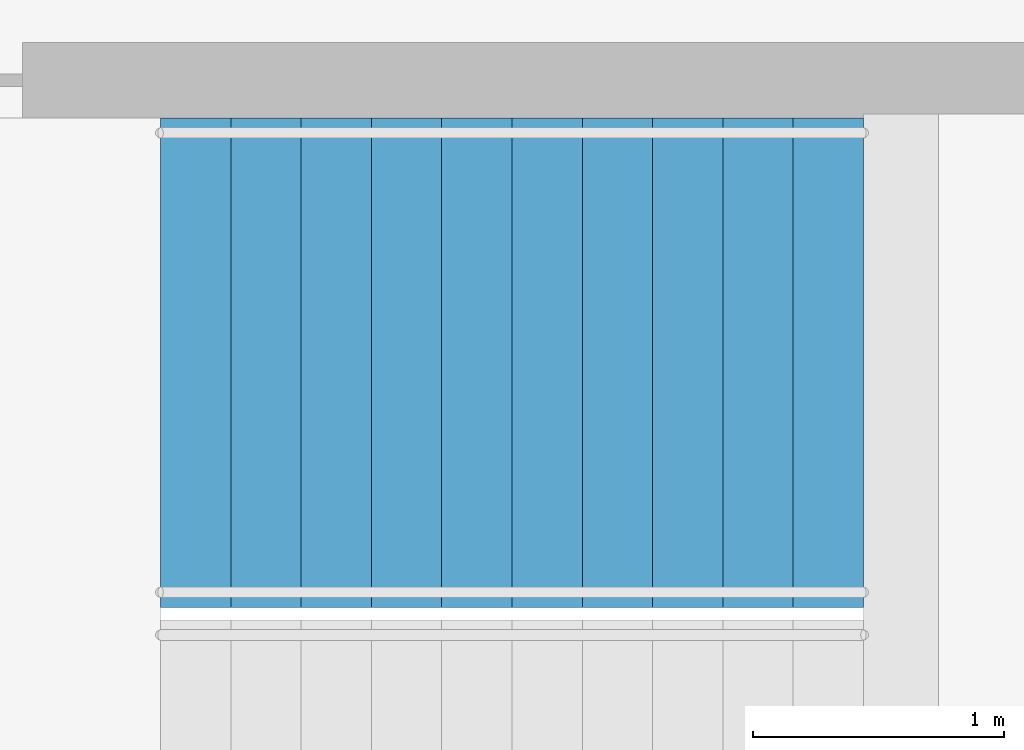
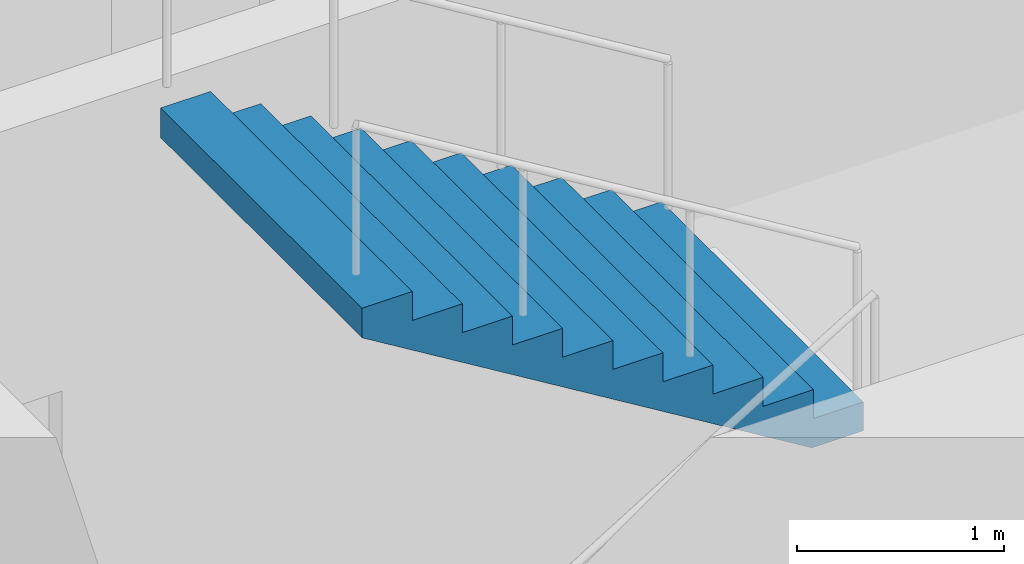
# One storey, part 21 of 24: 1 stair flight, 1 element without a shape of its own.
"""IFC4 building model written with IfcOpenShell, lengths in metres."""

from ifc_helpers import new_model, si_unit, direction, frame, origin, place, context, subcontext, project, spatial, triangles, material, type_object, element, aggregate, save


model = new_model("IFC4")

# Units and contexts
model_context = context("Model", 3, precision=1e-05, world=origin(), true_north=direction((0.0, 1.0)))
body_context = subcontext(model_context, "Body", "Model", "MODEL_VIEW")
ifc_project = project(units=[si_unit("LENGTHUNIT", "METRE"), si_unit("AREAUNIT", "SQUARE_METRE"), si_unit("VOLUMEUNIT", "CUBIC_METRE"), si_unit("PLANEANGLEUNIT", "RADIAN"), si_unit("MASSUNIT", "GRAM", prefix="KILO")], contexts=[model_context])

# Site, building, storey
site_placement = place(None, origin())
site = spatial("IfcSite", under=ifc_project, at=site_placement, CompositionType="ELEMENT")
building_placement = place(site_placement, origin())
building = spatial("IfcBuilding", under=site, at=building_placement, Name="Orbita Commons", CompositionType="ELEMENT")
storey_placement = place(building_placement, frame((0.0, 0.0, 27.699951171875)))
storey = spatial("IfcBuildingStorey", under=building, at=storey_placement, Name="L06", CompositionType="ELEMENT", Elevation=27.699951171875)

# Stair, stair flight
ifc_material_1 = material(Name="Precast concrete C40/50", Category="concrete")
stair_type = type_object("IfcStairType", Name="Exit stair S1 2 flights 11 risers 170", PredefinedType="HALF_TURN_STAIR", material=ifc_material_1)
stair_placement = place(storey_placement, origin())
stair = element("IfcStair", 1, at=stair_placement, inside=storey, type_object=stair_type, Name="Exit stair S1 L06", PredefinedType="HALF_TURN_STAIR")
ifc_material_2 = material(Name="Precast concrete C40/50", Category="concrete")
stair_flight_type = type_object("IfcStairFlightType", Name="Stair flight 11 risers 170 x 280", PredefinedType="STRAIGHT", material=ifc_material_2)
stair_flight_placement = place(storey_placement, frame((23.25, 29.27490234375, 1.875), z_axis=(0.0, 0.0, 1.0), x_axis=(-1.0, 0.0, 0.0)))
stair_flight = element("IfcStairFlight", 2, at=stair_flight_placement, type_object=stair_flight_type, Name="S1 flight 2", NumberOfRisers=11, NumberOfTreads=10, PredefinedType="STRAIGHT", RiserHeight=0.170454545, TreadLength=0.28, context=body_context, shape_type="Tessellation", body=[
    triangles([(0.0, 0.974976, 0.0), (0.0, 0.974976, 0.021307), (0.0, 0.81248, 0.021307), (0.0, 0.81248, 0.0), (0.0, 0.649984, 0.021307), (0.0, 0.649984, 0.0), (0.0, 0.487488, 0.021307), (0.0, 0.487488, 0.0), (0.0, 0.324992, 0.021307), (0.0, 0.324992, 0.0), (0.0, 0.162496, 0.021307), (0.0, 0.162496, 0.0), (0.0, 0.0, 0.021307), (0.0, 0.0, 0.0), (0.0, -0.162496, 0.021307), (0.0, -0.162496, 0.0), (0.0, -0.324992, 0.021307), (0.0, -0.324992, 0.0), (0.0, -0.487488, 0.021307), (0.0, -0.487488, 0.0), (0.0, -0.649984, 0.021307), (0.0, -0.649984, 0.0), (0.0, -0.81248, 0.021307), (0.0, -0.81248, 0.0), (0.0, -0.974976, 0.021307), (0.0, -0.974976, 0.0), (0.0, 0.974976, 0.042614), (0.0, 0.81248, 0.042614), (0.0, 0.649984, 0.042614), (0.0, 0.487488, 0.042614), (0.0, 0.324992, 0.042614), (0.0, 0.162496, 0.042614), (0.0, 0.0, 0.042614), (0.0, -0.162496, 0.042614), (0.0, -0.324992, 0.042614), (0.0, -0.487488, 0.042614), (0.0, -0.649984, 0.042614), (0.0, -0.81248, 0.042614), (0.0, -0.974976, 0.042614), (0.0, 0.974976, 0.06392), (0.0, 0.81248, 0.06392), (0.0, 0.649984, 0.06392), (0.0, 0.487488, 0.06392), (0.0, 0.324992, 0.06392), (0.0, 0.162496, 0.06392), (0.0, 0.0, 0.06392), (0.0, -0.162496, 0.06392), (0.0, -0.324992, 0.06392), (0.0, -0.487488, 0.06392), (0.0, -0.649984, 0.06392), (0.0, -0.81248, 0.06392), (0.0, -0.974976, 0.06392), (0.0, 0.974976, 0.085227), (0.0, 0.81248, 0.085227), (0.0, 0.649984, 0.085227), (0.0, 0.487488, 0.085227), (0.0, 0.324992, 0.085227), (0.0, 0.162496, 0.085227), (0.0, 0.0, 0.085227), (0.0, -0.162496, 0.085227), (0.0, -0.324992, 0.085227), (0.0, -0.487488, 0.085227), (0.0, -0.649984, 0.085227), (0.0, -0.81248, 0.085227), (0.0, -0.974976, 0.085227), (0.0, 0.974976, 0.106534), (0.0, 0.81248, 0.106534), (0.0, 0.649984, 0.106534), (0.0, 0.487488, 0.106534), (0.0, 0.324992, 0.106534), (0.0, 0.162496, 0.106534), (0.0, 0.0, 0.106534), (0.0, -0.162496, 0.106534), (0.0, -0.324992, 0.106534), (0.0, -0.487488, 0.106534), (0.0, -0.649984, 0.106534), (0.0, -0.81248, 0.106534), (0.0, -0.974976, 0.106534), (0.0, 0.974976, 0.127841), (0.0, 0.81248, 0.127841), (0.0, 0.649984, 0.127841), (0.0, 0.487488, 0.127841), (0.0, 0.324992, 0.127841), (0.0, 0.162496, 0.127841), (0.0, 0.0, 0.127841), (0.0, -0.162496, 0.127841), (0.0, -0.324992, 0.127841), (0.0, -0.487488, 0.127841), (0.0, -0.649984, 0.127841), (0.0, -0.81248, 0.127841), (0.0, -0.974976, 0.127841), (0.0, 0.974976, 0.149148), (0.0, 0.81248, 0.149148), (0.0, 0.649984, 0.149148), (0.0, 0.487488, 0.149148), (0.0, 0.324992, 0.149148), (0.0, 0.162496, 0.149148), (0.0, 0.0, 0.149148), (0.0, -0.162496, 0.149148), (0.0, -0.324992, 0.149148), (0.0, -0.487488, 0.149148), (0.0, -0.649984, 0.149148), (0.0, -0.81248, 0.149148), (0.0, -0.974976, 0.149148), (0.0, 0.974976, 0.170455), (0.0, 0.81248, 0.170455), (0.0, 0.649984, 0.170455), (0.0, 0.487488, 0.170455), (0.0, 0.324992, 0.170455), (0.0, 0.162496, 0.170455), (0.0, 0.0, 0.170455), (0.0, -0.162496, 0.170455), (0.0, -0.324992, 0.170455), (0.0, -0.487488, 0.170455), (0.0, -0.649984, 0.170455), (0.0, -0.81248, 0.170455), (0.0, -0.974976, 0.170455), (0.28, 0.974976, 0.170455), (0.28, 0.81248, 0.170455), (0.28, 0.649984, 0.170455), (0.28, 0.487488, 0.170455), (0.28, 0.324992, 0.170455), (0.28, 0.162496, 0.170455), (0.28, 0.0, 0.170455), (0.28, -0.162496, 0.170455), (0.28, -0.324992, 0.170455), (0.28, -0.487488, 0.170455), (0.28, -0.649984, 0.170455), (0.28, -0.81248, 0.170455), (0.28, -0.974976, 0.170455), (0.28, 0.974976, 0.340909), (0.28, 0.81248, 0.340909), (0.28, 0.649984, 0.340909), (0.28, 0.487488, 0.340909), (0.28, 0.324992, 0.340909), (0.28, 0.162496, 0.340909), (0.28, 0.0, 0.340909), (0.28, -0.162496, 0.340909), (0.28, -0.324992, 0.340909), (0.28, -0.487488, 0.340909), (0.28, -0.649984, 0.340909), (0.28, -0.81248, 0.340909), (0.28, -0.974976, 0.340909), (0.56, 0.974976, 0.340909), (0.56, 0.81248, 0.340909), (0.56, 0.649984, 0.340909), (0.56, 0.487488, 0.340909), (0.56, 0.324992, 0.340909), (0.56, 0.162496, 0.340909), (0.56, 0.0, 0.340909), (0.56, -0.162496, 0.340909), (0.56, -0.324992, 0.340909), (0.56, -0.487488, 0.340909), (0.56, -0.649984, 0.340909), (0.56, -0.81248, 0.340909), (0.56, -0.974976, 0.340909), (0.56, 0.974976, 0.511364), (0.56, 0.81248, 0.511364), (0.56, 0.649984, 0.511364), (0.56, 0.487488, 0.511364), (0.56, 0.324992, 0.511364), (0.56, 0.162496, 0.511364), (0.56, 0.0, 0.511364), (0.56, -0.162496, 0.511364), (0.56, -0.324992, 0.511364), (0.56, -0.487488, 0.511364), (0.56, -0.649984, 0.511364), (0.56, -0.81248, 0.511364), (0.56, -0.974976, 0.511364), (0.84, 0.974976, 0.511364), (0.84, 0.81248, 0.511364), (0.84, 0.649984, 0.511364), (0.84, 0.487488, 0.511364), (0.84, 0.324992, 0.511364), (0.84, 0.162496, 0.511364), (0.84, 0.0, 0.511364), (0.84, -0.162496, 0.511364), (0.84, -0.324992, 0.511364), (0.84, -0.487488, 0.511364), (0.84, -0.649984, 0.511364), (0.84, -0.81248, 0.511364), (0.84, -0.974976, 0.511364), (0.84, 0.974976, 0.681818), (0.84, 0.81248, 0.681818), (0.84, 0.649984, 0.681818), (0.84, 0.487488, 0.681818), (0.84, 0.324992, 0.681818), (0.84, 0.162496, 0.681818), (0.84, 0.0, 0.681818), (0.84, -0.162496, 0.681818), (0.84, -0.324992, 0.681818), (0.84, -0.487488, 0.681818), (0.84, -0.649984, 0.681818), (0.84, -0.81248, 0.681818), (0.84, -0.974976, 0.681818), (1.12, 0.974976, 0.681818), (1.12, 0.81248, 0.681818), (1.12, 0.649984, 0.681818), (1.12, 0.487488, 0.681818), (1.12, 0.324992, 0.681818), (1.12, 0.162496, 0.681818), (1.12, 0.0, 0.681818), (1.12, -0.162496, 0.681818), (1.12, -0.324992, 0.681818), (1.12, -0.487488, 0.681818), (1.12, -0.649984, 0.681818), (1.12, -0.81248, 0.681818), (1.12, -0.974976, 0.681818), (1.12, 0.974976, 0.852273), (1.12, 0.81248, 0.852273), (1.12, 0.649984, 0.852273), (1.12, 0.487488, 0.852273), (1.12, 0.324992, 0.852273), (1.12, 0.162496, 0.852273), (1.12, 0.0, 0.852273), (1.12, -0.162496, 0.852273), (1.12, -0.324992, 0.852273), (1.12, -0.487488, 0.852273), (1.12, -0.649984, 0.852273), (1.12, -0.81248, 0.852273), (1.12, -0.974976, 0.852273), (1.4, 0.974976, 0.852273), (1.4, 0.81248, 0.852273), (1.4, 0.649984, 0.852273), (1.4, 0.487488, 0.852273), (1.4, 0.324992, 0.852273), (1.4, 0.162496, 0.852273), (1.4, 0.0, 0.852273), (1.4, -0.162496, 0.852273), (1.4, -0.324992, 0.852273), (1.4, -0.487488, 0.852273), (1.4, -0.649984, 0.852273), (1.4, -0.81248, 0.852273), (1.4, -0.974976, 0.852273), (1.4, 0.974976, 1.022727), (1.4, 0.81248, 1.022727), (1.4, 0.649984, 1.022727), (1.4, 0.487488, 1.022727), (1.4, 0.324992, 1.022727), (1.4, 0.162496, 1.022727), (1.4, 0.0, 1.022727), (1.4, -0.162496, 1.022727), (1.4, -0.324992, 1.022727), (1.4, -0.487488, 1.022727), (1.4, -0.649984, 1.022727), (1.4, -0.81248, 1.022727), (1.4, -0.974976, 1.022727), (1.68, 0.974976, 1.022727), (1.68, 0.81248, 1.022727), (1.68, 0.649984, 1.022727), (1.68, 0.487488, 1.022727), (1.68, 0.324992, 1.022727), (1.68, 0.162496, 1.022727), (1.68, 0.0, 1.022727), (1.68, -0.162496, 1.022727), (1.68, -0.324992, 1.022727), (1.68, -0.487488, 1.022727), (1.68, -0.649984, 1.022727), (1.68, -0.81248, 1.022727), (1.68, -0.974976, 1.022727), (1.68, 0.974976, 1.193182), (1.68, 0.81248, 1.193182), (1.68, 0.649984, 1.193182), (1.68, 0.487488, 1.193182), (1.68, 0.324992, 1.193182), (1.68, 0.162496, 1.193182), (1.68, 0.0, 1.193182), (1.68, -0.162496, 1.193182), (1.68, -0.324992, 1.193182), (1.68, -0.487488, 1.193182), (1.68, -0.649984, 1.193182), (1.68, -0.81248, 1.193182), (1.68, -0.974976, 1.193182), (1.96, 0.974976, 1.193182), (1.96, 0.81248, 1.193182), (1.96, 0.649984, 1.193182), (1.96, 0.487488, 1.193182), (1.96, 0.324992, 1.193182), (1.96, 0.162496, 1.193182), (1.96, 0.0, 1.193182), (1.96, -0.162496, 1.193182), (1.96, -0.324992, 1.193182), (1.96, -0.487488, 1.193182), (1.96, -0.649984, 1.193182), (1.96, -0.81248, 1.193182), (1.96, -0.974976, 1.193182), (1.96, 0.974976, 1.363636), (1.96, 0.81248, 1.363636), (1.96, 0.649984, 1.363636), (1.96, 0.487488, 1.363636), (1.96, 0.324992, 1.363636), (1.96, 0.162496, 1.363636), (1.96, 0.0, 1.363636), (1.96, -0.162496, 1.363636), (1.96, -0.324992, 1.363636), (1.96, -0.487488, 1.363636), (1.96, -0.649984, 1.363636), (1.96, -0.81248, 1.363636), (1.96, -0.974976, 1.363636), (2.24, 0.974976, 1.363636), (2.24, 0.81248, 1.363636), (2.24, 0.649984, 1.363636), (2.24, 0.487488, 1.363636), (2.24, 0.324992, 1.363636), (2.24, 0.162496, 1.363636), (2.24, 0.0, 1.363636), (2.24, -0.162496, 1.363636), (2.24, -0.324992, 1.363636), (2.24, -0.487488, 1.363636), (2.24, -0.649984, 1.363636), (2.24, -0.81248, 1.363636), (2.24, -0.974976, 1.363636), (2.24, 0.974976, 1.534091), (2.24, 0.81248, 1.534091), (2.24, 0.649984, 1.534091), (2.24, 0.487488, 1.534091), (2.24, 0.324992, 1.534091), (2.24, 0.162496, 1.534091), (2.24, 0.0, 1.534091), (2.24, -0.162496, 1.534091), (2.24, -0.324992, 1.534091), (2.24, -0.487488, 1.534091), (2.24, -0.649984, 1.534091), (2.24, -0.81248, 1.534091), (2.24, -0.974976, 1.534091), (2.52, 0.974976, 1.534091), (2.52, 0.81248, 1.534091), (2.52, 0.649984, 1.534091), (2.52, 0.487488, 1.534091), (2.52, 0.324992, 1.534091), (2.52, 0.162496, 1.534091), (2.52, 0.0, 1.534091), (2.52, -0.162496, 1.534091), (2.52, -0.324992, 1.534091), (2.52, -0.487488, 1.534091), (2.52, -0.649984, 1.534091), (2.52, -0.81248, 1.534091), (2.52, -0.974976, 1.534091), (2.52, 0.974976, 1.704545), (2.52, 0.81248, 1.704545), (2.52, 0.649984, 1.704545), (2.52, 0.487488, 1.704545), (2.52, 0.324992, 1.704545), (2.52, 0.162496, 1.704545), (2.52, 0.0, 1.704545), (2.52, -0.162496, 1.704545), (2.52, -0.324992, 1.704545), (2.52, -0.487488, 1.704545), (2.52, -0.649984, 1.704545), (2.52, -0.81248, 1.704545), (2.52, -0.974976, 1.704545), (2.8, 0.974976, 1.704545), (2.8, 0.81248, 1.704545), (2.8, 0.649984, 1.704545), (2.8, 0.487488, 1.704545), (2.8, 0.324992, 1.704545), (2.8, 0.162496, 1.704545), (2.8, 0.0, 1.704545), (2.8, -0.162496, 1.704545), (2.8, -0.324992, 1.704545), (2.8, -0.487488, 1.704545), (2.8, -0.649984, 1.704545), (2.8, -0.81248, 1.704545), (2.8, -0.974976, 1.704545), (2.8, 0.974976, 1.682609), (2.8, 0.81248, 1.682609), (2.8, 0.649984, 1.682609), (2.8, 0.487488, 1.682609), (2.8, 0.324992, 1.682609), (2.8, 0.162496, 1.682609), (2.8, 0.0, 1.682609), (2.8, -0.162496, 1.682609), (2.8, -0.324992, 1.682609), (2.8, -0.487488, 1.682609), (2.8, -0.649984, 1.682609), (2.8, -0.81248, 1.682609), (2.8, -0.974976, 1.682609), (2.8, 0.974976, 1.660672), (2.8, 0.81248, 1.660672), (2.8, 0.649984, 1.660672), (2.8, 0.487488, 1.660672), (2.8, 0.324992, 1.660672), (2.8, 0.162496, 1.660672), (2.8, 0.0, 1.660672), (2.8, -0.162496, 1.660672), (2.8, -0.324992, 1.660672), (2.8, -0.487488, 1.660672), (2.8, -0.649984, 1.660672), (2.8, -0.81248, 1.660672), (2.8, -0.974976, 1.660672), (2.8, 0.974976, 1.638735), (2.8, 0.81248, 1.638735), (2.8, 0.649984, 1.638735), (2.8, 0.487488, 1.638735), (2.8, 0.324992, 1.638735), (2.8, 0.162496, 1.638735), (2.8, 0.0, 1.638735), (2.8, -0.162496, 1.638735), (2.8, -0.324992, 1.638735), (2.8, -0.487488, 1.638735), (2.8, -0.649984, 1.638735), (2.8, -0.81248, 1.638735), (2.8, -0.974976, 1.638735), (2.8, 0.974976, 1.616798), (2.8, 0.81248, 1.616798), (2.8, 0.649984, 1.616798), (2.8, 0.487488, 1.616798), (2.8, 0.324992, 1.616798), (2.8, 0.162496, 1.616798), (2.8, 0.0, 1.616798), (2.8, -0.162496, 1.616798), (2.8, -0.324992, 1.616798), (2.8, -0.487488, 1.616798), (2.8, -0.649984, 1.616798), (2.8, -0.81248, 1.616798), (2.8, -0.974976, 1.616798), (2.8, 0.974976, 1.594861), (2.8, 0.81248, 1.594861), (2.8, 0.649984, 1.594861), (2.8, 0.487488, 1.594861), (2.8, 0.324992, 1.594861), (2.8, 0.162496, 1.594861), (2.8, 0.0, 1.594861), (2.8, -0.162496, 1.594861), (2.8, -0.324992, 1.594861), (2.8, -0.487488, 1.594861), (2.8, -0.649984, 1.594861), (2.8, -0.81248, 1.594861), (2.8, -0.974976, 1.594861), (2.8, 0.974976, 1.572925), (2.8, 0.81248, 1.572925), (2.8, 0.649984, 1.572925), (2.8, 0.487488, 1.572925), (2.8, 0.324992, 1.572925), (2.8, 0.162496, 1.572925), (2.8, 0.0, 1.572925), (2.8, -0.162496, 1.572925), (2.8, -0.324992, 1.572925), (2.8, -0.487488, 1.572925), (2.8, -0.649984, 1.572925), (2.8, -0.81248, 1.572925), (2.8, -0.974976, 1.572925), (2.8, 0.974976, 1.550988), (2.8, 0.81248, 1.550988), (2.8, 0.649984, 1.550988), (2.8, 0.487488, 1.550988), (2.8, 0.324992, 1.550988), (2.8, 0.162496, 1.550988), (2.8, 0.0, 1.550988), (2.8, -0.162496, 1.550988), (2.8, -0.324992, 1.550988), (2.8, -0.487488, 1.550988), (2.8, -0.649984, 1.550988), (2.8, -0.81248, 1.550988), (2.8, -0.974976, 1.550988), (2.8, 0.974976, 1.529051), (2.8, 0.81248, 1.529051), (2.8, 0.649984, 1.529051), (2.8, 0.487488, 1.529051), (2.8, 0.324992, 1.529051), (2.8, 0.162496, 1.529051), (2.8, 0.0, 1.529051), (2.8, -0.162496, 1.529051), (2.8, -0.324992, 1.529051), (2.8, -0.487488, 1.529051), (2.8, -0.649984, 1.529051), (2.8, -0.81248, 1.529051), (2.8, -0.974976, 1.529051), (0.288279, 0.974976, 0.0), (0.288279, 0.81248, 0.0), (0.288279, 0.649984, 0.0), (0.288279, 0.487488, 0.0), (0.288279, 0.324992, 0.0), (0.288279, 0.162496, 0.0), (0.288279, 0.0, 0.0), (0.288279, -0.162496, 0.0), (0.288279, -0.324992, 0.0), (0.288279, -0.487488, 0.0), (0.288279, -0.649984, 0.0), (0.288279, -0.81248, 0.0), (0.288279, -0.974976, 0.0)], [[3, 2, 1], [4, 3, 1], [5, 3, 4], [6, 5, 4], [7, 5, 6], [8, 7, 6], [9, 7, 8], [10, 9, 8], [11, 9, 10], [12, 11, 10], [13, 11, 12], [14, 13, 12], [15, 13, 14], [16, 15, 14], [17, 15, 16], [18, 17, 16], [19, 17, 18], [20, 19, 18], [21, 19, 20], [22, 21, 20], [23, 21, 22], [24, 23, 22], [25, 23, 24], [26, 25, 24], [28, 27, 2], [3, 28, 2], [29, 28, 3], [5, 29, 3], [30, 29, 5], [7, 30, 5], [31, 30, 7], [9, 31, 7], [32, 31, 9], [11, 32, 9], [33, 32, 11], [13, 33, 11], [34, 33, 13], [15, 34, 13], [35, 34, 15], [17, 35, 15], [36, 35, 17], [19, 36, 17], [37, 36, 19], [21, 37, 19], [38, 37, 21], [23, 38, 21], [39, 38, 23], [25, 39, 23], [41, 40, 27], [28, 41, 27], [42, 41, 28], [29, 42, 28], [43, 42, 29], [30, 43, 29], [44, 43, 30], [31, 44, 30], [45, 44, 31], [32, 45, 31], [46, 45, 32], [33, 46, 32], [47, 46, 33], [34, 47, 33], [48, 47, 34], [35, 48, 34], [49, 48, 35], [36, 49, 35], [50, 49, 36], [37, 50, 36], [51, 50, 37], [38, 51, 37], [52, 51, 38], [39, 52, 38], [54, 53, 40], [41, 54, 40], [55, 54, 41], [42, 55, 41], [56, 55, 42], [43, 56, 42], [57, 56, 43], [44, 57, 43], [58, 57, 44], [45, 58, 44], [59, 58, 45], [46, 59, 45], [60, 59, 46], [47, 60, 46], [61, 60, 47], [48, 61, 47], [62, 61, 48], [49, 62, 48], [63, 62, 49], [50, 63, 49], [64, 63, 50], [51, 64, 50], [65, 64, 51], [52, 65, 51], [67, 66, 53], [54, 67, 53], [68, 67, 54], [55, 68, 54], [69, 68, 55], [56, 69, 55], [70, 69, 56], [57, 70, 56], [71, 70, 57], [58, 71, 57], [72, 71, 58], [59, 72, 58], [73, 72, 59], [60, 73, 59], [74, 73, 60], [61, 74, 60], [75, 74, 61], [62, 75, 61], [76, 75, 62], [63, 76, 62], [77, 76, 63], [64, 77, 63], [78, 77, 64], [65, 78, 64], [80, 79, 66], [67, 80, 66], [81, 80, 67], [68, 81, 67], [82, 81, 68], [69, 82, 68], [83, 82, 69], [70, 83, 69], [84, 83, 70], [71, 84, 70], [85, 84, 71], [72, 85, 71], [86, 85, 72], [73, 86, 72], [87, 86, 73], [74, 87, 73], [88, 87, 74], [75, 88, 74], [89, 88, 75], [76, 89, 75], [90, 89, 76], [77, 90, 76], [91, 90, 77], [78, 91, 77], [93, 92, 79], [80, 93, 79], [94, 93, 80], [81, 94, 80], [95, 94, 81], [82, 95, 81], [96, 95, 82], [83, 96, 82], [97, 96, 83], [84, 97, 83], [98, 97, 84], [85, 98, 84], [99, 98, 85], [86, 99, 85], [100, 99, 86], [87, 100, 86], [101, 100, 87], [88, 101, 87], [102, 101, 88], [89, 102, 88], [103, 102, 89], [90, 103, 89], [104, 103, 90], [91, 104, 90], [106, 105, 92], [93, 106, 92], [107, 106, 93], [94, 107, 93], [108, 107, 94], [95, 108, 94], [109, 108, 95], [96, 109, 95], [110, 109, 96], [97, 110, 96], [111, 110, 97], [98, 111, 97], [112, 111, 98], [99, 112, 98], [113, 112, 99], [100, 113, 99], [114, 113, 100], [101, 114, 100], [115, 114, 101], [102, 115, 101], [116, 115, 102], [103, 116, 102], [117, 116, 103], [104, 117, 103], [119, 118, 105], [106, 119, 105], [120, 119, 106], [107, 120, 106], [121, 120, 107], [108, 121, 107], [122, 121, 108], [109, 122, 108], [123, 122, 109], [110, 123, 109], [124, 123, 110], [111, 124, 110], [125, 124, 111], [112, 125, 111], [126, 125, 112], [113, 126, 112], [127, 126, 113], [114, 127, 113], [128, 127, 114], [115, 128, 114], [129, 128, 115], [116, 129, 115], [130, 129, 116], [117, 130, 116], [132, 131, 118], [119, 132, 118], [133, 132, 119], [120, 133, 119], [134, 133, 120], [121, 134, 120], [135, 134, 121], [122, 135, 121], [136, 135, 122], [123, 136, 122], [137, 136, 123], [124, 137, 123], [138, 137, 124], [125, 138, 124], [139, 138, 125], [126, 139, 125], [140, 139, 126], [127, 140, 126], [141, 140, 127], [128, 141, 127], [142, 141, 128], [129, 142, 128], [143, 142, 129], [130, 143, 129], [145, 144, 131], [132, 145, 131], [146, 145, 132], [133, 146, 132], [147, 146, 133], [134, 147, 133], [148, 147, 134], [135, 148, 134], [149, 148, 135], [136, 149, 135], [150, 149, 136], [137, 150, 136], [151, 150, 137], [138, 151, 137], [152, 151, 138], [139, 152, 138], [153, 152, 139], [140, 153, 139], [154, 153, 140], [141, 154, 140], [155, 154, 141], [142, 155, 141], [156, 155, 142], [143, 156, 142], [158, 157, 144], [145, 158, 144], [159, 158, 145], [146, 159, 145], [160, 159, 146], [147, 160, 146], [161, 160, 147], [148, 161, 147], [162, 161, 148], [149, 162, 148], [163, 162, 149], [150, 163, 149], [164, 163, 150], [151, 164, 150], [165, 164, 151], [152, 165, 151], [166, 165, 152], [153, 166, 152], [167, 166, 153], [154, 167, 153], [168, 167, 154], [155, 168, 154], [169, 168, 155], [156, 169, 155], [171, 170, 157], [158, 171, 157], [172, 171, 158], [159, 172, 158], [173, 172, 159], [160, 173, 159], [174, 173, 160], [161, 174, 160], [175, 174, 161], [162, 175, 161], [176, 175, 162], [163, 176, 162], [177, 176, 163], [164, 177, 163], [178, 177, 164], [165, 178, 164], [179, 178, 165], [166, 179, 165], [180, 179, 166], [167, 180, 166], [181, 180, 167], [168, 181, 167], [182, 181, 168], [169, 182, 168], [184, 183, 170], [171, 184, 170], [185, 184, 171], [172, 185, 171], [186, 185, 172], [173, 186, 172], [187, 186, 173], [174, 187, 173], [188, 187, 174], [175, 188, 174], [189, 188, 175], [176, 189, 175], [190, 189, 176], [177, 190, 176], [191, 190, 177], [178, 191, 177], [192, 191, 178], [179, 192, 178], [193, 192, 179], [180, 193, 179], [194, 193, 180], [181, 194, 180], [195, 194, 181], [182, 195, 181], [197, 196, 183], [184, 197, 183], [198, 197, 184], [185, 198, 184], [199, 198, 185], [186, 199, 185], [200, 199, 186], [187, 200, 186], [201, 200, 187], [188, 201, 187], [202, 201, 188], [189, 202, 188], [203, 202, 189], [190, 203, 189], [204, 203, 190], [191, 204, 190], [205, 204, 191], [192, 205, 191], [206, 205, 192], [193, 206, 192], [207, 206, 193], [194, 207, 193], [208, 207, 194], [195, 208, 194], [210, 209, 196], [197, 210, 196], [211, 210, 197], [198, 211, 197], [212, 211, 198], [199, 212, 198], [213, 212, 199], [200, 213, 199], [214, 213, 200], [201, 214, 200], [215, 214, 201], [202, 215, 201], [216, 215, 202], [203, 216, 202], [217, 216, 203], [204, 217, 203], [218, 217, 204], [205, 218, 204], [219, 218, 205], [206, 219, 205], [220, 219, 206], [207, 220, 206], [221, 220, 207], [208, 221, 207], [223, 222, 209], [210, 223, 209], [224, 223, 210], [211, 224, 210], [225, 224, 211], [212, 225, 211], [226, 225, 212], [213, 226, 212], [227, 226, 213], [214, 227, 213], [228, 227, 214], [215, 228, 214], [229, 228, 215], [216, 229, 215], [230, 229, 216], [217, 230, 216], [231, 230, 217], [218, 231, 217], [232, 231, 218], [219, 232, 218], [233, 232, 219], [220, 233, 219], [234, 233, 220], [221, 234, 220], [236, 235, 222], [223, 236, 222], [237, 236, 223], [224, 237, 223], [238, 237, 224], [225, 238, 224], [239, 238, 225], [226, 239, 225], [240, 239, 226], [227, 240, 226], [241, 240, 227], [228, 241, 227], [242, 241, 228], [229, 242, 228], [243, 242, 229], [230, 243, 229], [244, 243, 230], [231, 244, 230], [245, 244, 231], [232, 245, 231], [246, 245, 232], [233, 246, 232], [247, 246, 233], [234, 247, 233], [249, 248, 235], [236, 249, 235], [250, 249, 236], [237, 250, 236], [251, 250, 237], [238, 251, 237], [252, 251, 238], [239, 252, 238], [253, 252, 239], [240, 253, 239], [254, 253, 240], [241, 254, 240], [255, 254, 241], [242, 255, 241], [256, 255, 242], [243, 256, 242], [257, 256, 243], [244, 257, 243], [258, 257, 244], [245, 258, 244], [259, 258, 245], [246, 259, 245], [260, 259, 246], [247, 260, 246], [262, 261, 248], [249, 262, 248], [263, 262, 249], [250, 263, 249], [264, 263, 250], [251, 264, 250], [265, 264, 251], [252, 265, 251], [266, 265, 252], [253, 266, 252], [267, 266, 253], [254, 267, 253], [268, 267, 254], [255, 268, 254], [269, 268, 255], [256, 269, 255], [270, 269, 256], [257, 270, 256], [271, 270, 257], [258, 271, 257], [272, 271, 258], [259, 272, 258], [273, 272, 259], [260, 273, 259], [275, 274, 261], [262, 275, 261], [276, 275, 262], [263, 276, 262], [277, 276, 263], [264, 277, 263], [278, 277, 264], [265, 278, 264], [279, 278, 265], [266, 279, 265], [280, 279, 266], [267, 280, 266], [281, 280, 267], [268, 281, 267], [282, 281, 268], [269, 282, 268], [283, 282, 269], [270, 283, 269], [284, 283, 270], [271, 284, 270], [285, 284, 271], [272, 285, 271], [286, 285, 272], [273, 286, 272], [288, 287, 274], [275, 288, 274], [289, 288, 275], [276, 289, 275], [290, 289, 276], [277, 290, 276], [291, 290, 277], [278, 291, 277], [292, 291, 278], [279, 292, 278], [293, 292, 279], [280, 293, 279], [294, 293, 280], [281, 294, 280], [295, 294, 281], [282, 295, 281], [296, 295, 282], [283, 296, 282], [297, 296, 283], [284, 297, 283], [298, 297, 284], [285, 298, 284], [299, 298, 285], [286, 299, 285], [301, 300, 287], [288, 301, 287], [302, 301, 288], [289, 302, 288], [303, 302, 289], [290, 303, 289], [304, 303, 290], [291, 304, 290], [305, 304, 291], [292, 305, 291], [306, 305, 292], [293, 306, 292], [307, 306, 293], [294, 307, 293], [308, 307, 294], [295, 308, 294], [309, 308, 295], [296, 309, 295], [310, 309, 296], [297, 310, 296], [311, 310, 297], [298, 311, 297], [312, 311, 298], [299, 312, 298], [314, 313, 300], [301, 314, 300], [315, 314, 301], [302, 315, 301], [316, 315, 302], [303, 316, 302], [317, 316, 303], [304, 317, 303], [318, 317, 304], [305, 318, 304], [319, 318, 305], [306, 319, 305], [320, 319, 306], [307, 320, 306], [321, 320, 307], [308, 321, 307], [322, 321, 308], [309, 322, 308], [323, 322, 309], [310, 323, 309], [324, 323, 310], [311, 324, 310], [325, 324, 311], [312, 325, 311], [327, 326, 313], [314, 327, 313], [328, 327, 314], [315, 328, 314], [329, 328, 315], [316, 329, 315], [330, 329, 316], [317, 330, 316], [331, 330, 317], [318, 331, 317], [332, 331, 318], [319, 332, 318], [333, 332, 319], [320, 333, 319], [334, 333, 320], [321, 334, 320], [335, 334, 321], [322, 335, 321], [336, 335, 322], [323, 336, 322], [337, 336, 323], [324, 337, 323], [338, 337, 324], [325, 338, 324], [340, 339, 326], [327, 340, 326], [341, 340, 327], [328, 341, 327], [342, 341, 328], [329, 342, 328], [343, 342, 329], [330, 343, 329], [344, 343, 330], [331, 344, 330], [345, 344, 331], [332, 345, 331], [346, 345, 332], [333, 346, 332], [347, 346, 333], [334, 347, 333], [348, 347, 334], [335, 348, 334], [349, 348, 335], [336, 349, 335], [350, 349, 336], [337, 350, 336], [351, 350, 337], [338, 351, 337], [353, 352, 339], [340, 353, 339], [354, 353, 340], [341, 354, 340], [355, 354, 341], [342, 355, 341], [356, 355, 342], [343, 356, 342], [357, 356, 343], [344, 357, 343], [358, 357, 344], [345, 358, 344], [359, 358, 345], [346, 359, 345], [360, 359, 346], [347, 360, 346], [361, 360, 347], [348, 361, 347], [362, 361, 348], [349, 362, 348], [363, 362, 349], [350, 363, 349], [364, 363, 350], [351, 364, 350], [366, 365, 352], [353, 366, 352], [367, 366, 353], [354, 367, 353], [368, 367, 354], [355, 368, 354], [369, 368, 355], [356, 369, 355], [370, 369, 356], [357, 370, 356], [371, 370, 357], [358, 371, 357], [372, 371, 358], [359, 372, 358], [373, 372, 359], [360, 373, 359], [374, 373, 360], [361, 374, 360], [375, 374, 361], [362, 375, 361], [376, 375, 362], [363, 376, 362], [377, 376, 363], [364, 377, 363], [379, 378, 365], [366, 379, 365], [380, 379, 366], [367, 380, 366], [381, 380, 367], [368, 381, 367], [382, 381, 368], [369, 382, 368], [383, 382, 369], [370, 383, 369], [384, 383, 370], [371, 384, 370], [385, 384, 371], [372, 385, 371], [386, 385, 372], [373, 386, 372], [387, 386, 373], [374, 387, 373], [388, 387, 374], [375, 388, 374], [389, 388, 375], [376, 389, 375], [390, 389, 376], [377, 390, 376], [392, 391, 378], [379, 392, 378], [393, 392, 379], [380, 393, 379], [394, 393, 380], [381, 394, 380], [395, 394, 381], [382, 395, 381], [396, 395, 382], [383, 396, 382], [397, 396, 383], [384, 397, 383], [398, 397, 384], [385, 398, 384], [399, 398, 385], [386, 399, 385], [400, 399, 386], [387, 400, 386], [401, 400, 387], [388, 401, 387], [402, 401, 388], [389, 402, 388], [403, 402, 389], [390, 403, 389], [405, 404, 391], [392, 405, 391], [406, 405, 392], [393, 406, 392], [407, 406, 393], [394, 407, 393], [408, 407, 394], [395, 408, 394], [409, 408, 395], [396, 409, 395], [410, 409, 396], [397, 410, 396], [411, 410, 397], [398, 411, 397], [412, 411, 398], [399, 412, 398], [413, 412, 399], [400, 413, 399], [414, 413, 400], [401, 414, 400], [415, 414, 401], [402, 415, 401], [416, 415, 402], [403, 416, 402], [418, 417, 404], [405, 418, 404], [419, 418, 405], [406, 419, 405], [420, 419, 406], [407, 420, 406], [421, 420, 407], [408, 421, 407], [422, 421, 408], [409, 422, 408], [423, 422, 409], [410, 423, 409], [424, 423, 410], [411, 424, 410], [425, 424, 411], [412, 425, 411], [426, 425, 412], [413, 426, 412], [427, 426, 413], [414, 427, 413], [428, 427, 414], [415, 428, 414], [429, 428, 415], [416, 429, 415], [431, 430, 417], [418, 431, 417], [432, 431, 418], [419, 432, 418], [433, 432, 419], [420, 433, 419], [434, 433, 420], [421, 434, 420], [435, 434, 421], [422, 435, 421], [436, 435, 422], [423, 436, 422], [437, 436, 423], [424, 437, 423], [438, 437, 424], [425, 438, 424], [439, 438, 425], [426, 439, 425], [440, 439, 426], [427, 440, 426], [441, 440, 427], [428, 441, 427], [442, 441, 428], [429, 442, 428], [444, 443, 430], [431, 444, 430], [445, 444, 431], [432, 445, 431], [446, 445, 432], [433, 446, 432], [447, 446, 433], [434, 447, 433], [448, 447, 434], [435, 448, 434], [449, 448, 435], [436, 449, 435], [450, 449, 436], [437, 450, 436], [451, 450, 437], [438, 451, 437], [452, 451, 438], [439, 452, 438], [453, 452, 439], [440, 453, 439], [454, 453, 440], [441, 454, 440], [455, 454, 441], [442, 455, 441], [457, 456, 443], [444, 457, 443], [458, 457, 444], [445, 458, 444], [459, 458, 445], [446, 459, 445], [460, 459, 446], [447, 460, 446], [461, 460, 447], [448, 461, 447], [462, 461, 448], [449, 462, 448], [463, 462, 449], [450, 463, 449], [464, 463, 450], [451, 464, 450], [465, 464, 451], [452, 465, 451], [466, 465, 452], [453, 466, 452], [467, 466, 453], [454, 467, 453], [468, 467, 454], [455, 468, 454], [470, 469, 456], [457, 470, 456], [471, 470, 457], [458, 471, 457], [472, 471, 458], [459, 472, 458], [473, 472, 459], [460, 473, 459], [474, 473, 460], [461, 474, 460], [475, 474, 461], [462, 475, 461], [476, 475, 462], [463, 476, 462], [477, 476, 463], [464, 477, 463], [478, 477, 464], [465, 478, 464], [479, 478, 465], [466, 479, 465], [480, 479, 466], [467, 480, 466], [481, 480, 467], [468, 481, 467], [4, 1, 469], [470, 4, 469], [6, 4, 470], [471, 6, 470], [8, 6, 471], [472, 8, 471], [10, 8, 472], [473, 10, 472], [12, 10, 473], [474, 12, 473], [14, 12, 474], [475, 14, 474], [16, 14, 475], [476, 16, 475], [18, 16, 476], [477, 18, 476], [20, 18, 477], [478, 20, 477], [22, 20, 478], [479, 22, 478], [24, 22, 479], [480, 24, 479], [26, 24, 480], [481, 26, 480], [456, 469, 1], [26, 481, 468], [443, 456, 1], [26, 468, 455], [430, 443, 1], [26, 455, 442], [417, 430, 1], [26, 442, 429], [404, 417, 1], [26, 429, 416], [391, 404, 1], [26, 416, 403], [378, 391, 1], [26, 403, 390], [365, 378, 1], [26, 390, 377], [339, 352, 365], [377, 364, 351], [326, 339, 365], [377, 351, 338], [300, 313, 326], [338, 325, 312], [300, 326, 365], [377, 338, 312], [274, 287, 300], [312, 299, 286], [274, 300, 365], [377, 312, 286], [248, 261, 274], [286, 273, 260], [248, 274, 365], [377, 286, 260], [222, 235, 248], [260, 247, 234], [222, 248, 365], [377, 260, 234], [196, 209, 222], [234, 221, 208], [196, 222, 365], [377, 234, 208], [170, 183, 196], [208, 195, 182], [170, 196, 365], [377, 208, 182], [144, 157, 170], [182, 169, 156], [144, 170, 365], [377, 182, 156], [118, 131, 144], [156, 143, 130], [118, 144, 365], [377, 156, 130], [118, 365, 1], [26, 377, 130], [92, 105, 118], [130, 117, 104], [79, 92, 118], [130, 104, 91], [66, 79, 118], [130, 91, 78], [53, 66, 118], [130, 78, 65], [40, 53, 118], [130, 65, 52], [27, 40, 118], [130, 52, 39], [2, 27, 118], [130, 39, 25], [1, 2, 118], [130, 25, 26]], closed=True),
])
aggregate(stair, [stair_flight])

save(model, "model.ifc")
